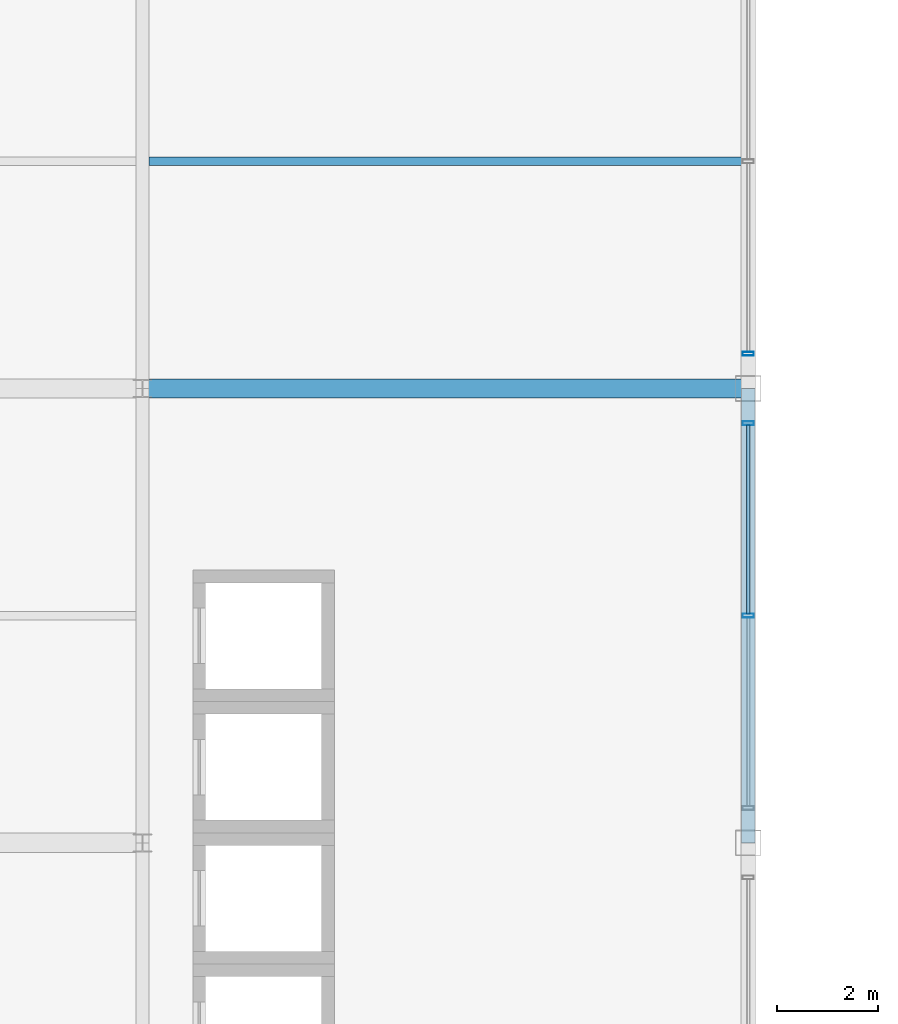
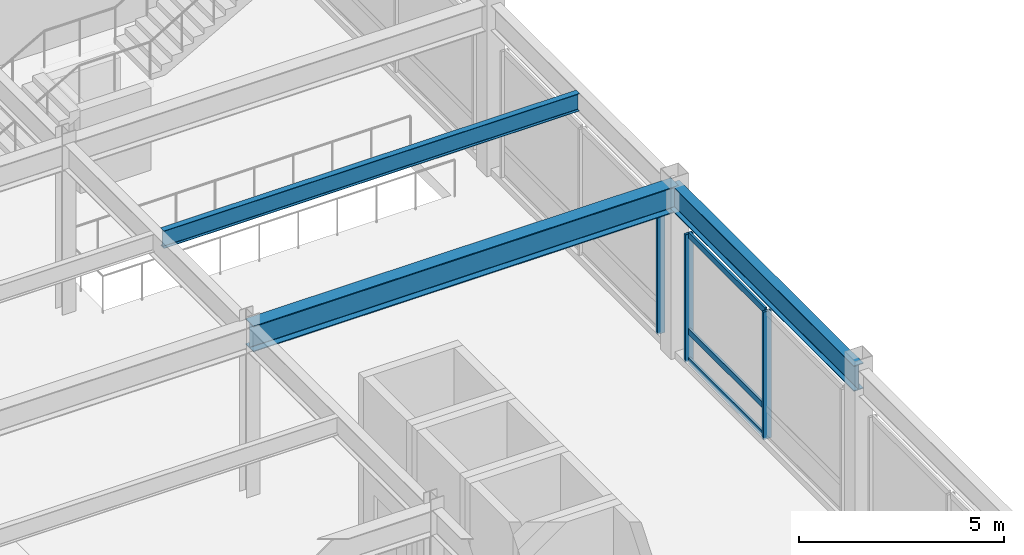
# One storey, part 53 of 100: 6 members, 3 beams, 2 elements without a shape of their own.
"""IFC4 building model written with IfcOpenShell, lengths in metres."""

from ifc_helpers import new_model, si_unit, direction, frame, origin, origin_2d, place, context, subcontext, project, spatial, hollow_rectangle, i_section, extrude, material, material_profile, profile_set, type_object, element, aggregate, save


model = new_model("IFC4")

# Units and contexts
model_context = context("Model", 3, precision=1e-05, world=origin(), true_north=direction((0.0, 1.0)))
body_context = subcontext(model_context, "Body", "Model", "MODEL_VIEW")
ifc_project = project(units=[si_unit("LENGTHUNIT", "METRE"), si_unit("AREAUNIT", "SQUARE_METRE"), si_unit("VOLUMEUNIT", "CUBIC_METRE"), si_unit("PLANEANGLEUNIT", "RADIAN"), si_unit("MASSUNIT", "GRAM", prefix="KILO")], contexts=[model_context])

# Site, building, storey
site_placement = place(None, origin())
site = spatial("IfcSite", under=ifc_project, at=site_placement, CompositionType="ELEMENT")
building_placement = place(site_placement, origin())
building = spatial("IfcBuilding", under=site, at=building_placement, Name="Kaldorvane Square Convention Centre", CompositionType="ELEMENT")
storey_placement = place(building_placement, frame((0.0, 0.0, 18.0)))
storey = spatial("IfcBuildingStorey", under=building, at=storey_placement, Name="L03", CompositionType="ELEMENT", Elevation=18.0)

# Beams
ifc_material_1 = material(Name="Steel ASTM A992 Gr. 50", Category="steel")
ifc_material_profile_1 = material_profile(ifc_material_1, i_section(OverallWidth=0.2666015625, OverallDepth=0.762298583984375, WebThickness=0.014404296875, FlangeThickness=0.0216064453125, FilletRadius=0.0164947509765625, at=origin_2d()), Name="W30X116")
ifc_profile_set_1 = profile_set([ifc_material_profile_1], Name="Steel ASTM A992 Gr. 50")
beam_type_1 = type_object("IfcBeamType", Name="BM-GR-W30X116", PredefinedType="BEAM", material=ifc_profile_set_1)
beam_1_placement = place(storey_placement, frame((138.0, 45.0, 4.694793701171875), z_axis=(0.0, 1.0, 0.0), x_axis=(-1.0, 0.0, 0.0)))
element("IfcBeam", 1, at=beam_1_placement, inside=storey, type_object=beam_type_1, Name="Transverse Girder (L03)", PredefinedType="BEAM", context=body_context, shape_type="SweptSolid", body=[
    extrude(i_section(OverallWidth=0.2666015625, OverallDepth=0.762298583984375, WebThickness=0.014404296875, FlangeThickness=0.0216064453125, FilletRadius=0.0164947509765625, at=origin_2d()), origin(), (0.0, 0.0, 1.0), 9.0),
])
ifc_material_profile_2 = material_profile(ifc_material_1, i_section(OverallWidth=0.380706787109375, OverallDepth=0.773193359375, WebThickness=0.0166015625, FlangeThickness=0.027099609375, FilletRadius=0.0164947509765625, at=origin_2d()), Name="W30X173")
ifc_profile_set_2 = profile_set([ifc_material_profile_2], Name="Steel ASTM A992 Gr. 50")
beam_type_2 = type_object("IfcBeamType", Name="BM-GR-W30X173", PredefinedType="BEAM", material=ifc_profile_set_2)
beam_2_placement = place(storey_placement, frame((126.0, 54.0, 4.6894073486328125), z_axis=(1.0, 0.0, 0.0), x_axis=(0.0, 1.0, 0.0)))
element("IfcBeam", 2, at=beam_2_placement, inside=storey, type_object=beam_type_2, Name="Primary Girder (L03)", PredefinedType="BEAM", context=body_context, shape_type="SweptSolid", body=[
    extrude(i_section(OverallWidth=0.380706787109375, OverallDepth=0.773193359375, WebThickness=0.0166015625, FlangeThickness=0.027099609375, FilletRadius=0.0164947509765625, at=origin_2d()), origin(), (0.0, 0.0, 1.0), 12.0),
])
ifc_material_profile_3 = material_profile(ifc_material_1, i_section(OverallWidth=0.1658935546875, OverallDepth=0.5290985107421875, WebThickness=0.00970458984375, FlangeThickness=0.0135955810546875, FilletRadius=0.0126953125, at=origin_2d()), Name="W21X50")
ifc_profile_set_3 = profile_set([ifc_material_profile_3], Name="Steel ASTM A992 Gr. 50")
beam_type_3 = type_object("IfcBeamType", Name="BM-JS-W21X50", PredefinedType="JOIST", material=ifc_profile_set_3)
beam_3_placement = place(storey_placement, frame((126.13330078125, 58.5, 4.8114013671875), z_axis=(1.0, 0.0, 0.0), x_axis=(0.0, 1.0, 0.0)))
element("IfcBeam", 3, at=beam_3_placement, inside=storey, type_object=beam_type_3, Name="Secondary Floor Joist (L03)", PredefinedType="JOIST", context=body_context, shape_type="SweptSolid", body=[
    extrude(i_section(OverallWidth=0.1658935546875, OverallDepth=0.5290985107421875, WebThickness=0.00970458984375, FlangeThickness=0.0135955810546875, FilletRadius=0.0126953125, at=origin_2d()), origin(), (0.0, 0.0, 1.0), 11.7333984375),
])

# Curtain wall, members
ifc_material_2 = material(Name="Anodized Aluminum and Low-E Insulated Glazing", Category="aluminium")
curtain_wall_type = type_object("IfcCurtainWallType", Name="CW-PTS-FC-54", PredefinedType="USERDEFINED", material=ifc_material_2)
curtain_wall_1_placement = place(storey_placement, origin())
curtain_wall_1 = element("IfcCurtainWall", 4, at=curtain_wall_1_placement, inside=storey, type_object=curtain_wall_type, Name="Curtain Wall CW-08 (L03)", ObjectType="POINT SUPPORTED GLAZING", PredefinedType="USERDEFINED")
ifc_material_profile_4 = material_profile(ifc_material_2, hollow_rectangle(XDim=0.0749969482421875, YDim=0.220001220703125, WallThickness=0.003997802734375, at=origin_2d()), Name="CWM-220X75")
ifc_profile_set_4 = profile_set([ifc_material_profile_4], Name="Anodized Aluminum and Low-E Insulated Glazing")
member_type_1 = type_object("IfcMemberType", Name="CW-MUL-220", PredefinedType="MULLION", material=ifc_profile_set_4)
member_1_placement = place(storey_placement, frame((138.0, 49.5, 0.149993896484375), z_axis=(0.0, 0.0, 1.0), x_axis=(0.0, 1.0, 0.0)))
member_1 = element("IfcMember", 5, at=member_1_placement, type_object=member_type_1, Name="CW-08 mullion 2", PredefinedType="MULLION", context=body_context, shape_type="SweptSolid", body=[
    extrude(hollow_rectangle(XDim=0.0749969482421875, YDim=0.220001220703125, WallThickness=0.003997802734375, at=origin_2d()), origin(), (0.0, 0.0, 1.0), 3.8100128173828125),
])
member_2_placement = place(storey_placement, frame((138.0, 53.3125, 0.149993896484375), z_axis=(0.0, 0.0, 1.0), x_axis=(0.0, 1.0, 0.0)))
member_2 = element("IfcMember", 6, at=member_2_placement, type_object=member_type_1, Name="CW-08 mullion 3", PredefinedType="MULLION", context=body_context, shape_type="SweptSolid", body=[
    extrude(hollow_rectangle(XDim=0.0749969482421875, YDim=0.220001220703125, WallThickness=0.003997802734375, at=origin_2d()), origin(), (0.0, 0.0, 1.0), 3.8100128173828125),
])

# Curtain wall, member
curtain_wall_2_placement = place(storey_placement, origin())
curtain_wall_2 = element("IfcCurtainWall", 7, at=curtain_wall_2_placement, inside=storey, type_object=curtain_wall_type, Name="Curtain Wall CW-08 (L03)", ObjectType="POINT SUPPORTED GLAZING", PredefinedType="USERDEFINED")
member_3_placement = place(storey_placement, frame((138.0, 54.6875, 0.149993896484375), z_axis=(0.0, 0.0, 1.0), x_axis=(0.0, 1.0, 0.0)))
member_3 = element("IfcMember", 8, at=member_3_placement, type_object=member_type_1, Name="CW-08 mullion 1", PredefinedType="MULLION", context=body_context, shape_type="SweptSolid", body=[
    extrude(hollow_rectangle(XDim=0.0749969482421875, YDim=0.220001220703125, WallThickness=0.003997802734375, at=origin_2d()), origin(), (0.0, 0.0, 1.0), 3.8100128173828125),
])
aggregate(curtain_wall_2, [member_3])

# Member
ifc_material_profile_5 = material_profile(ifc_material_2, hollow_rectangle(XDim=0.06500244140625, YDim=0.17999267578125, WallThickness=0.0034942626953125, at=origin_2d()), Name="CWT-180X65")
ifc_profile_set_5 = profile_set([ifc_material_profile_5], Name="Anodized Aluminum and Low-E Insulated Glazing")
member_type_2 = type_object("IfcMemberType", Name="CW-TRN-180", PredefinedType="USERDEFINED", material=ifc_profile_set_5)
member_4_placement = place(storey_placement, frame((138.0, 49.537506103515625, 0.1824951171875), z_axis=(0.0, 1.0, 0.0), x_axis=(-1.0, 0.0, 0.0)))
member_4 = element("IfcMember", 9, at=member_4_placement, type_object=member_type_2, Name="CW-08 transom 2.1", ObjectType="TRANSOM", PredefinedType="USERDEFINED", context=body_context, shape_type="SweptSolid", body=[
    extrude(hollow_rectangle(XDim=0.06500244140625, YDim=0.17999267578125, WallThickness=0.0034942626953125, at=origin_2d()), origin(), (0.0, 0.0, 1.0), 3.73748779296875),
])

member_5_placement = place(storey_placement, frame((138.0, 49.537506103515625, 1.0500030517578125), z_axis=(0.0, 1.0, 0.0), x_axis=(-1.0, 0.0, 0.0)))
member_5 = element("IfcMember", 10, at=member_5_placement, type_object=member_type_2, Name="CW-08 transom 2.2", ObjectType="TRANSOM", PredefinedType="USERDEFINED", context=body_context, shape_type="SweptSolid", body=[
    extrude(hollow_rectangle(XDim=0.06500244140625, YDim=0.17999267578125, WallThickness=0.0034942626953125, at=origin_2d()), origin(), (0.0, 0.0, 1.0), 3.73748779296875),
])

member_6_placement = place(storey_placement, frame((138.0, 49.537506103515625, 3.9275054931640625), z_axis=(0.0, 1.0, 0.0), x_axis=(-1.0, 0.0, 0.0)))
member_6 = element("IfcMember", 11, at=member_6_placement, type_object=member_type_2, Name="CW-08 transom 2.3", ObjectType="TRANSOM", PredefinedType="USERDEFINED", context=body_context, shape_type="SweptSolid", body=[
    extrude(hollow_rectangle(XDim=0.06500244140625, YDim=0.17999267578125, WallThickness=0.0034942626953125, at=origin_2d()), origin(), (0.0, 0.0, 1.0), 3.73748779296875),
])

aggregate(curtain_wall_1, [member_1, member_2, member_4, member_5, member_6])

save(model, "model.ifc")
